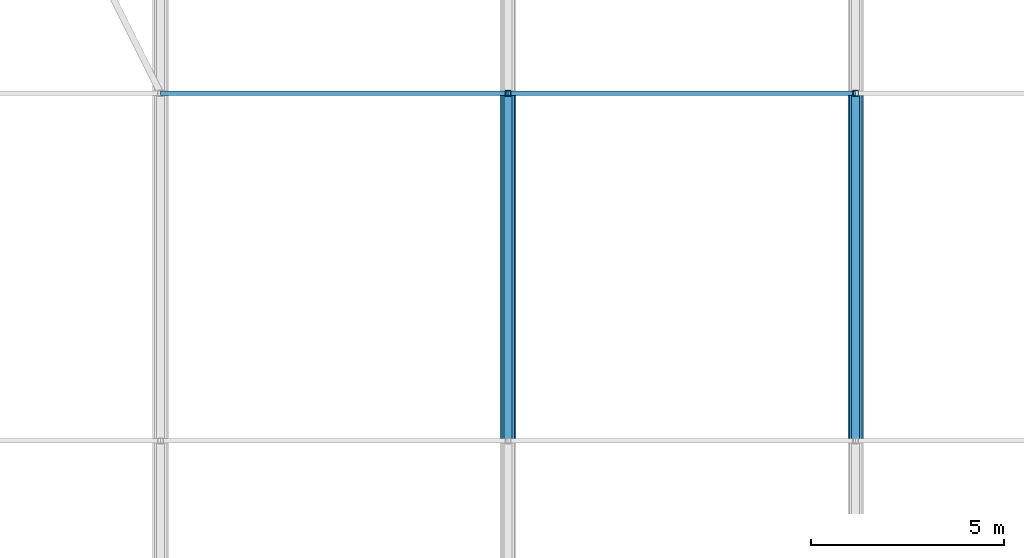
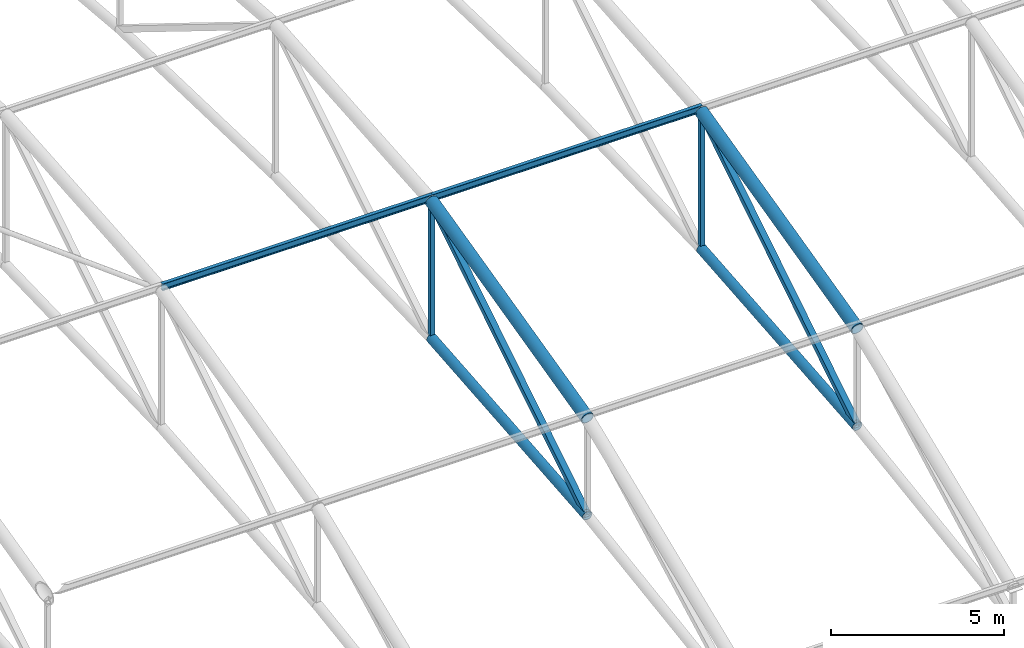
# One storey, part 41 of 223: 10 members.
"""IFC4 building model written with IfcOpenShell, lengths in metres."""

from ifc_helpers import new_model, si_unit, direction, frame, origin, origin_2d, place, context, subcontext, project, spatial, hollow_rectangle, hollow_circle, i_section, extrude, material, material_profile, profile_set, type_object, element, save


model = new_model("IFC4")

# Units and contexts
model_context = context("Model", 3, precision=1e-05, world=origin(), true_north=direction((0.0, 1.0)))
body_context = subcontext(model_context, "Body", "Model", "MODEL_VIEW")
ifc_project = project(units=[si_unit("LENGTHUNIT", "METRE"), si_unit("AREAUNIT", "SQUARE_METRE"), si_unit("VOLUMEUNIT", "CUBIC_METRE"), si_unit("PLANEANGLEUNIT", "RADIAN"), si_unit("MASSUNIT", "GRAM", prefix="KILO")], contexts=[model_context])

# Site, building, storey
site_placement = place(None, origin())
site = spatial("IfcSite", under=ifc_project, at=site_placement, CompositionType="ELEMENT")
building_placement = place(site_placement, origin())
building = spatial("IfcBuilding", under=site, at=building_placement, Name="Dornveld Trade and Exhibition Forum", CompositionType="ELEMENT")
storey_placement = place(building_placement, frame((0.0, 0.0, 6.0)))
storey = spatial("IfcBuildingStorey", under=building, at=storey_placement, Name="L01", CompositionType="ELEMENT", Elevation=6.0)

# Members
ifc_material_1 = material(Name="Steel S355J2", Category="steel")
ifc_material_profile_1 = material_profile(ifc_material_1, hollow_circle(Radius=0.161865234375, WallThickness=0.01611328125, at=origin_2d()), Name="CHS 323.9x16")
ifc_profile_set_1 = profile_set([ifc_material_profile_1], Name="Steel S355J2")
member_type_1 = type_object("IfcMemberType", Name="MEM-ARCH-BC", PredefinedType="CHORD", material=ifc_profile_set_1)
for number, where, z_axis, x_axis, name in (
    (1, (117.0, 117.0, 7.683349609375), (0.0, 0.996072164085, 0.088545151956), (-1.0, 0.0, 0.0), "H1 truss 3 tie chord 2"),
    (2, (126.0, 117.0, 7.683349609375), (0.0, 0.996072164085, 0.088545151956), (-1.0, 0.0, 0.0), "H1 truss 4 tie chord 2"),
):
    element("IfcMember", number, at=place(storey_placement, frame(where, z_axis=z_axis, x_axis=x_axis)), inside=storey, type_object=member_type_1, Name=name, PredefinedType="CHORD", context=body_context, shape_type="SweptSolid", body=[
        extrude(hollow_circle(Radius=0.161865234375, WallThickness=0.01611328125, at=origin_2d()), origin(), (0.0, 0.0, 1.0), 9.035400390625),
    ])
ifc_material_2 = material(Name="Steel S355J2", Category="steel")
ifc_material_profile_2 = material_profile(ifc_material_2, hollow_rectangle(XDim=0.14990234375, YDim=0.14990234375, WallThickness=0.008056640625, at=origin_2d()), Name="SHS 150x150x8")
ifc_profile_set_2 = profile_set([ifc_material_profile_2], Name="Steel S355J2")
member_type_2 = type_object("IfcMemberType", Name="MEM-ARCH-STR", PredefinedType="STRUT", material=ifc_profile_set_2)
for number, where, z_axis, x_axis, name in (
    (3, (117.0, 126.0, 8.4833984375), (0.0, 0.0, 1.0), (1.0, 0.0, 0.0), "H1 truss 3 strut 3"),
    (4, (126.0, 126.0, 8.4833984375), (0.0, 0.0, 1.0), (1.0, 0.0, 0.0), "H1 truss 4 strut 3"),
):
    element("IfcMember", number, at=place(storey_placement, frame(where, z_axis=z_axis, x_axis=x_axis)), inside=storey, type_object=member_type_2, Name=name, PredefinedType="STRUT", context=body_context, shape_type="SweptSolid", body=[
        extrude(hollow_rectangle(XDim=0.14990234375, YDim=0.14990234375, WallThickness=0.008056640625, at=origin_2d()), origin(), (0.0, 0.0, 1.0), 4.833251953125),
    ])
ifc_material_3 = material(Name="Steel S355J2", Category="steel")
ifc_material_profile_3 = material_profile(ifc_material_3, hollow_circle(Radius=0.203125, WallThickness=0.02001953125, at=origin_2d()), Name="CHS 406.4x20")
ifc_profile_set_3 = profile_set([ifc_material_profile_3], Name="Steel S355J2")
member_type_3 = type_object("IfcMemberType", Name="MEM-ARCH-TC", PredefinedType="CHORD", material=ifc_profile_set_3)
for number, where, z_axis, x_axis, name in (
    (5, (117.0, 117.0, 11.11669921875), (0.0, 0.971400222114, 0.237448117444), (-1.0, 0.0, 0.0), "H1 truss 3 top chord 2"),
    (6, (126.0, 117.0, 11.11669921875), (0.0, 0.971400222114, 0.237448117444), (-1.0, 0.0, 0.0), "H1 truss 4 top chord 2"),
):
    element("IfcMember", number, at=place(storey_placement, frame(where, z_axis=z_axis, x_axis=x_axis)), inside=storey, type_object=member_type_3, Name=name, PredefinedType="CHORD", context=body_context, shape_type="SweptSolid", body=[
        extrude(hollow_circle(Radius=0.203125, WallThickness=0.02001953125, at=origin_2d()), origin(), (0.0, 0.0, 1.0), 9.264892578125),
    ])
ifc_material_4 = material(Name="Steel S355J2", Category="steel")
ifc_material_profile_4 = material_profile(ifc_material_4, hollow_rectangle(XDim=0.199951171875, YDim=0.199951171875, WallThickness=0.010009765625, at=origin_2d()), Name="SHS 200x200x10")
ifc_profile_set_4 = profile_set([ifc_material_profile_4], Name="Steel S355J2")
member_type_4 = type_object("IfcMemberType", Name="MEM-ARCH-WEB", PredefinedType="BRACE", material=ifc_profile_set_4)
for number, where, z_axis, x_axis, name in (
    (7, (117.0, 117.0, 7.683349609375), (0.0, 0.847646750348, 0.530561011218), (-1.0, 0.0, 0.0), "H1 truss 3 web 2"),
    (8, (126.0, 117.0, 7.683349609375), (0.0, 0.847646750348, 0.530561011218), (-1.0, 0.0, 0.0), "H1 truss 4 web 2"),
):
    element("IfcMember", number, at=place(storey_placement, frame(where, z_axis=z_axis, x_axis=x_axis)), inside=storey, type_object=member_type_4, Name=name, PredefinedType="BRACE", context=body_context, shape_type="SweptSolid", body=[
        extrude(hollow_rectangle(XDim=0.199951171875, YDim=0.199951171875, WallThickness=0.010009765625, at=origin_2d()), origin(), (0.0, 0.0, 1.0), 10.61767578125),
    ])
ifc_material_5 = material(Name="Steel S355J2", Category="steel")
ifc_material_profile_5 = material_profile(ifc_material_5, i_section(OverallWidth=0.1201171875, OverallDepth=0.239990234375, WebThickness=0.006103515625, FlangeThickness=0.009765625, FilletRadius=0.014892578125, at=origin_2d()), Name="IPE 240")
ifc_profile_set_5 = profile_set([ifc_material_profile_5], Name="Steel S355J2")
member_type_5 = type_object("IfcMemberType", Name="MEM-PURLIN-240", PredefinedType="PURLIN", material=ifc_profile_set_5)
for number, where, z_axis, x_axis, name in (
    (9, (108.0, 126.0, 13.44873046875), (1.0, 0.0, 0.0), (0.0, 1.0, 0.0), "H1 bay 2 roof purlin 3"),
    (10, (117.0, 126.0, 13.44873046875), (1.0, 0.0, 0.0), (0.0, 1.0, 0.0), "H1 bay 3 roof purlin 3"),
):
    element("IfcMember", number, at=place(storey_placement, frame(where, z_axis=z_axis, x_axis=x_axis)), inside=storey, type_object=member_type_5, Name=name, PredefinedType="PURLIN", context=body_context, shape_type="SweptSolid", body=[
        extrude(i_section(OverallWidth=0.1201171875, OverallDepth=0.239990234375, WebThickness=0.006103515625, FlangeThickness=0.009765625, FilletRadius=0.014892578125, at=origin_2d()), origin(), (0.0, 0.0, 1.0), 9.0),
    ])

save(model, "model.ifc")
